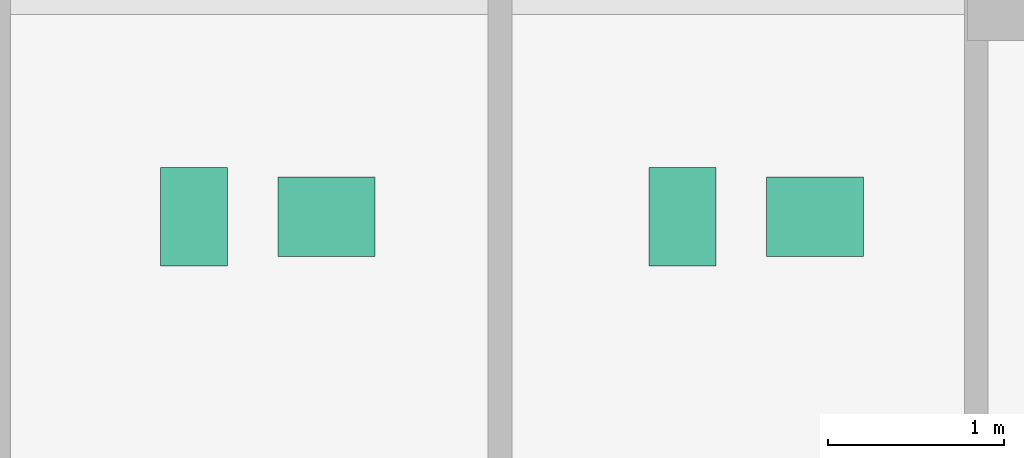
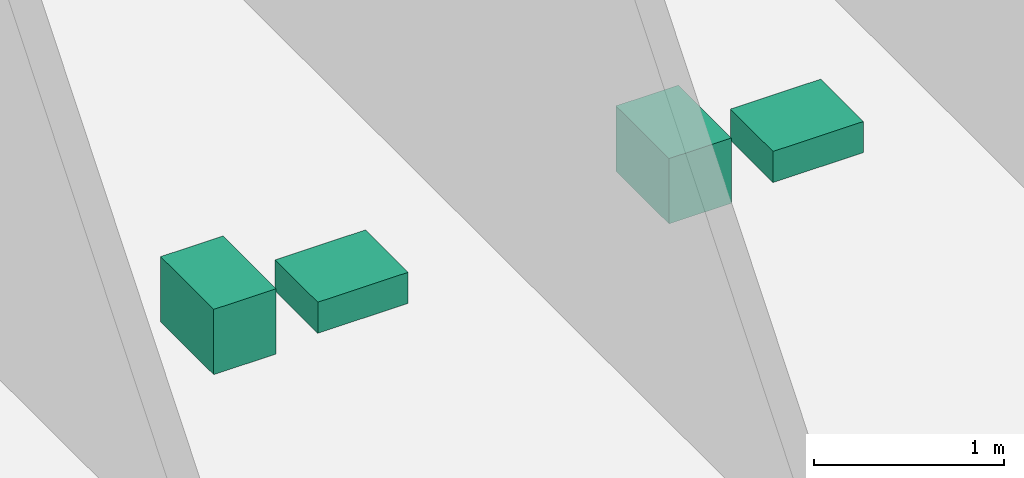
# One storey, part 33 of 33: 4 sanitary terminals.
"""IFC4 building model written with IfcOpenShell, lengths in metres."""

from ifc_helpers import new_model, si_unit, direction, frame, origin, origin_2d, place, context, subcontext, project, spatial, rectangle, extrude, material, type_object, element, save


model = new_model("IFC4")

# Units and contexts
model_context = context("Model", 3, precision=1e-05, world=origin(), true_north=direction((0.0, 1.0)))
body_context = subcontext(model_context, "Body", "Model", "MODEL_VIEW")
ifc_project = project(units=[si_unit("LENGTHUNIT", "METRE"), si_unit("AREAUNIT", "SQUARE_METRE"), si_unit("VOLUMEUNIT", "CUBIC_METRE"), si_unit("PLANEANGLEUNIT", "RADIAN"), si_unit("MASSUNIT", "GRAM", prefix="KILO")], contexts=[model_context])

# Site, building, storey
site_placement = place(None, origin())
site = spatial("IfcSite", under=ifc_project, at=site_placement, CompositionType="ELEMENT")
building_placement = place(site_placement, origin())
building = spatial("IfcBuilding", under=site, at=building_placement, Name="Zuhayl Quay Hotel", CompositionType="ELEMENT")
storey_placement = place(building_placement, frame((0.0, 0.0, 18.0)))
storey = spatial("IfcBuildingStorey", under=building, at=storey_placement, Name="L03", CompositionType="ELEMENT", Elevation=18.0)

# Sanitary terminals
ifc_material = material(Name="Vitreous Porcelain Sanitaryware")
sanitary_terminal_type_1 = type_object("IfcSanitaryTerminalType", Name="SAN_BASIN", PredefinedType="WASHHANDBASIN", material=ifc_material)
for number, where, z_axis, x_axis, name in (
    (1, (26.514892578125, 20.85009765625, 0.0), (0.0, 0.0, 1.0), (1.0, 0.0, 0.0), "L03 Sanitary Fixture WASHHANDBASIN"),
    (2, (29.284912109375, 20.85009765625, 0.0), (0.0, 0.0, 1.0), (1.0, 0.0, 0.0), "L03 Sanitary Fixture WASHHANDBASIN"),
):
    element("IfcSanitaryTerminal", number, at=place(storey_placement, frame(where, z_axis=z_axis, x_axis=x_axis)), inside=storey, type_object=sanitary_terminal_type_1, Name=name, PredefinedType="WASHHANDBASIN", context=body_context, shape_type="SweptSolid", body=[
        extrude(rectangle(XDim=0.550048828125, YDim=0.449951171875, at=origin_2d()), origin(), (0.0, 0.0, 1.0), 0.199951171875),
    ])
sanitary_terminal_type_2 = type_object("IfcSanitaryTerminalType", Name="SAN_WC", PredefinedType="TOILETPAN", material=ifc_material)
for number, where, z_axis, x_axis, name in (
    (3, (25.764892578125, 20.85009765625, 0.0), (0.0, 0.0, 1.0), (1.0, 0.0, 0.0), "L03 Sanitary Fixture TOILETPAN"),
    (4, (28.534912109375, 20.85009765625, 0.0), (0.0, 0.0, 1.0), (1.0, 0.0, 0.0), "L03 Sanitary Fixture TOILETPAN"),
):
    element("IfcSanitaryTerminal", number, at=place(storey_placement, frame(where, z_axis=z_axis, x_axis=x_axis)), inside=storey, type_object=sanitary_terminal_type_2, Name=name, PredefinedType="TOILETPAN", context=body_context, shape_type="SweptSolid", body=[
        extrude(rectangle(XDim=0.3798828125, YDim=0.56005859375, at=origin_2d()), origin(), (0.0, 0.0, 1.0), 0.419921875),
    ])

save(model, "model.ifc")
